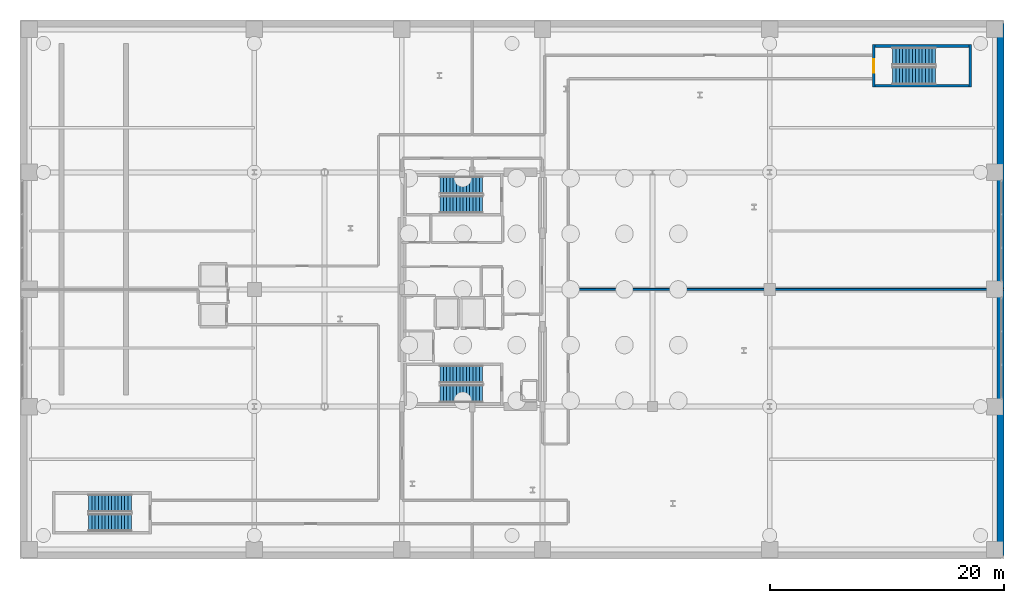
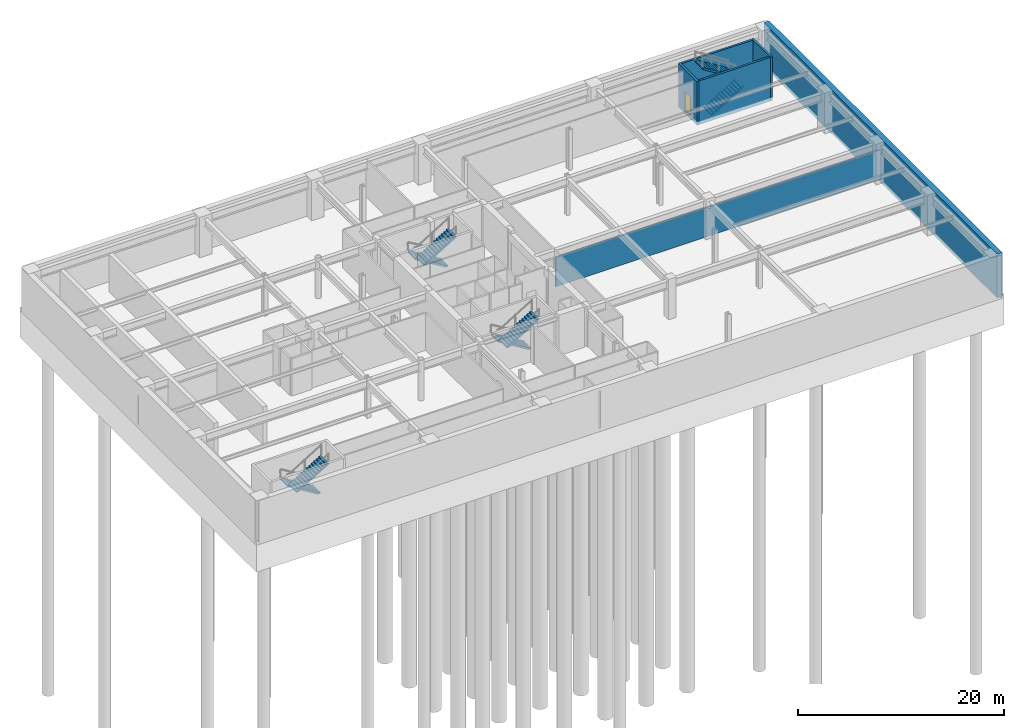
# One storey, part 21 of 25: 8 stair flights, 6 walls, 1 door, 1 opening, 4 elements without a shape of their own.
"""IFC4 building model written with IfcOpenShell, lengths in metres."""

from ifc_helpers import new_model, si_unit, direction, frame, frame_2d, origin, place, context, subcontext, project, spatial, polyline, rectangle, outline, extrude, material, layer, layer_set, type_object, element, fill, aggregate, save


model = new_model("IFC4")

# Units and contexts
model_context = context("Model", 3, precision=1e-05, world=origin(), true_north=direction((0.0, 1.0)))
body_context = subcontext(model_context, "Body", "Model", "MODEL_VIEW")
ifc_project = project(units=[si_unit("LENGTHUNIT", "METRE"), si_unit("AREAUNIT", "SQUARE_METRE"), si_unit("VOLUMEUNIT", "CUBIC_METRE"), si_unit("PLANEANGLEUNIT", "RADIAN"), si_unit("MASSUNIT", "GRAM", prefix="KILO")], contexts=[model_context])

# Site, building, storey
site_placement = place(None, origin())
site = spatial("IfcSite", under=ifc_project, at=site_placement, CompositionType="ELEMENT")
building_placement = place(site_placement, origin())
building = spatial("IfcBuilding", under=site, at=building_placement, Name="Soratama Intermodal Tower", CompositionType="ELEMENT")
storey_placement = place(building_placement, frame((0.0, 0.0, -10.199951171875)))
storey = spatial("IfcBuildingStorey", under=building, at=storey_placement, Name="B2", CompositionType="ELEMENT", Elevation=-10.199951171875)

# Walls
ifc_material_1 = material(Name="Fire-rated gypsum stud partition", Category="concrete")
ifc_layer_1 = layer(ifc_material_1, 0.159912109375)
ifc_layer_set_1 = layer_set([ifc_layer_1], Name="Fire-rated gypsum stud partition")
wall_type_1 = type_object("IfcWallType", Name="IW-PART-R160", PredefinedType="PARTITIONING", material=ifc_layer_set_1)
wall_1_placement = place(storey_placement, frame((46.8701171875, 25.0, 0.0), z_axis=(0.0, 0.0, 1.0), x_axis=(1.0, 0.0, 0.0)))
element("IfcWall", 1, at=wall_1_placement, inside=storey, type_object=wall_type_1, Name="B2 Partition W-B2-TP001", PredefinedType="PARTITIONING", context=body_context, shape_type="SweptSolid", body=[
    extrude(rectangle(XDim=37.1298828125, YDim=0.159912109375, at=frame_2d((18.56494140625, 0.0))), origin(), (0.0, 0.0, 1.0), 3.490966796875),
])
ifc_material_2 = material(Name="Concrete f'c 42 MPa", Category="concrete")
ifc_layer_2 = layer(ifc_material_2, 0.60009765625)
ifc_layer_set_2 = layer_set([ifc_layer_2], Name="Concrete f'c 42 MPa")
wall_type_2 = type_object("IfcWallType", Name="RW-BSMT-600", PredefinedType="USERDEFINED", material=ifc_layer_set_2)
wall_2_placement = place(storey_placement, frame((83.699951171875, 2.300048828125, -0.400146484375), z_axis=(0.0, 0.0, 1.0), x_axis=(0.0, 1.0, 0.0)))
element("IfcWall", 2, at=wall_2_placement, inside=storey, type_object=wall_type_2, Name="B2 Retaining Wall E", ObjectType="RETAINING WALL", PredefinedType="USERDEFINED", context=body_context, shape_type="SweptSolid", body=[
    extrude(rectangle(XDim=45.39990234375, YDim=0.60009765625, at=frame_2d((22.699951171875, 0.0))), origin(), (0.0, 0.0, 1.0), 5.2001953125),
])

# Wall, opening, door
ifc_material_3 = material(Name="Concrete f'c 56 MPa", Category="concrete")
ifc_layer_3 = layer(ifc_material_3, 0.239990234375)
ifc_layer_set_3 = layer_set([ifc_layer_3], Name="Concrete f'c 56 MPa")
wall_type_3 = type_object("IfcWallType", Name="SW-STAIR-240", PredefinedType="SHEAR", material=ifc_layer_set_3)
wall_3_placement = place(storey_placement, frame((72.8798828125, 42.260009765625, -0.400146484375), z_axis=(0.0, 0.0, 1.0), x_axis=(0.0, 1.0, 0.0)))
wall_3 = element("IfcWall", 3, at=wall_3_placement, inside=storey, type_object=wall_type_3, Name="B2 ST-4 Shaft Shear Wall W", PredefinedType="SHEAR", context=body_context, shape_type="SweptSolid", body=[
    extrude(rectangle(XDim=3.6298828125, YDim=0.239990234375, at=frame_2d((1.81494140625, 0.0))), origin(), (0.0, 0.0, 1.0), 5.2001953125),
])
opening_placement = place(wall_3_placement, frame((1.2548828125, 0.0, 0.39990234375)))
opening = element("IfcOpeningElement", 4, at=opening_placement, cuts=wall_3, Name="Opening SD-1", PredefinedType="OPENING", context=body_context, shape_type="SweptSolid", body=[
    extrude(rectangle(XDim=1.1201171875, YDim=2.14990234375, at=frame_2d((0.56005859375, 1.074951171875))), frame((0.0, 0.1298828125, 0.0), z_axis=(0.0, -1.0, 0.0), x_axis=(1.0, 0.0, 0.0)), (0.0, 0.0, 1.0), 0.260009765625),
])
ifc_material_4 = material(Name="Steel fire door", Category="steel")
door_type = type_object("IfcDoorType", Name="DR-STAIR-FD90", OperationType="NOTDEFINED", PredefinedType="DOOR", material=ifc_material_4)
door_placement = place(opening_placement, origin())
door = element("IfcDoor", 5, at=door_placement, inside=storey, type_object=door_type, Name="B2 ST-4 Exit Stair Door", OperationType="SINGLE_SWING_RIGHT", OverallHeight=2.14990234375, OverallWidth=1.1201171875, PredefinedType="DOOR", context=body_context, shape_type="SweptSolid", body=[
    extrude(rectangle(XDim=1.1201171875, YDim=2.14990234375, at=frame_2d((0.56005859375, 1.074951171875))), frame((0.0, 0.02490234375, 0.0), z_axis=(0.0, -1.0, 0.0), x_axis=(1.0, 0.0, 0.0)), (0.0, 0.0, 1.0), 0.050048828125),
])
fill(opening, door)

# Walls
wall_4_placement = place(storey_placement, frame((81.1201171875, 42.260009765625, -0.400146484375), z_axis=(0.0, 0.0, 1.0), x_axis=(0.0, 1.0, 0.0)))
element("IfcWall", 6, at=wall_4_placement, inside=storey, type_object=wall_type_3, Name="B2 ST-4 Shaft Shear Wall E", PredefinedType="SHEAR", context=body_context, shape_type="SweptSolid", body=[
    extrude(rectangle(XDim=3.6298828125, YDim=0.239990234375, at=frame_2d((1.81494140625, 0.0))), origin(), (0.0, 0.0, 1.0), 5.2001953125),
])
for number, where, z_axis, x_axis, name in (
    (7, (73.0, 42.3798828125, -0.400146484375), (0.0, 0.0, 1.0), (1.0, 0.0, 0.0), "B2 ST-4 Shaft Shear Wall S"),
    (8, (73.0, 45.77001953125, -0.400146484375), (0.0, 0.0, 1.0), (1.0, 0.0, 0.0), "B2 ST-4 Shaft Shear Wall N"),
):
    element("IfcWall", number, at=place(storey_placement, frame(where, z_axis=z_axis, x_axis=x_axis)), inside=storey, type_object=wall_type_3, Name=name, PredefinedType="SHEAR", context=body_context, shape_type="SweptSolid", body=[
        extrude(rectangle(XDim=8.0, YDim=0.239990234375, at=frame_2d((4.0, 0.0))), origin(), (0.0, 0.0, 1.0), 5.2001953125),
    ])

# Stair, stair flights
ifc_material_5 = material(Name="Concrete f'c 42 MPa", Category="concrete")
stair_type = type_object("IfcStairType", Name="ST-CORE-DOGLEG", PredefinedType="HALF_TURN_STAIR", material=ifc_material_5)
stair_1_placement = place(storey_placement, origin())
stair_1 = element("IfcStair", 9, at=stair_1_placement, inside=storey, type_object=stair_type, Name="B2 ST-1", PredefinedType="HALF_TURN_STAIR")
ifc_material_6 = material(Name="Precast concrete f'c 40 MPa", Category="concrete")
ifc_layer_4 = layer(ifc_material_6, 0.199951171875)
ifc_layer_set_4 = layer_set([ifc_layer_4], Name="Precast concrete f'c 40 MPa")
stair_flight_type = type_object("IfcStairFlightType", Name="SF-FLIGHT-RC", PredefinedType="STRAIGHT", material=ifc_layer_set_4)
stair_flight_1_placement = place(storey_placement, frame((39.5, 17.75, 0.0), z_axis=(0.0, 0.0, 1.0), x_axis=(-1.0, 0.0, 0.0)))
stair_flight_1 = element("IfcStairFlight", 10, at=stair_flight_1_placement, type_object=stair_flight_type, Name="ST-1 flight 1", NumberOfRisers=14, NumberOfTreads=13, PredefinedType="STRAIGHT", RiserHeight=0.171428571, TreadLength=0.28, context=body_context, shape_type="SweptSolid", body=[
    extrude(outline(polyline([(0.0, 0.0), (0.0, 0.17138671875), (0.280029296875, 0.17138671875), (0.280029296875, 0.3427734375), (0.56005859375, 0.3427734375), (0.56005859375, 0.514404296875), (0.840087890625, 0.514404296875), (0.840087890625, 0.685791015625), (1.1201171875, 0.685791015625), (1.1201171875, 0.857177734375), (1.39990234375, 0.857177734375), (1.39990234375, 1.028564453125), (1.679931640625, 1.028564453125), (1.679931640625, 1.199951171875), (1.9599609375, 1.199951171875), (1.9599609375, 1.371337890625), (2.239990234375, 1.371337890625), (2.239990234375, 1.54296875), (2.52001953125, 1.54296875), (2.52001953125, 1.71435546875), (2.800048828125, 1.71435546875), (2.800048828125, 1.8857421875), (3.080078125, 1.8857421875), (3.080078125, 2.05712890625), (3.360107421875, 2.05712890625), (3.360107421875, 2.228515625), (3.639892578125, 2.228515625), (3.639892578125, 2.39990234375), (3.639892578125, 2.052734375), (0.287109375, 0.0), (0.0, 0.0)])), frame((0.0, 0.75, 0.0), z_axis=(0.0, -1.0, 0.0), x_axis=(1.0, 0.0, 0.0)), (0.0, 0.0, 1.0), 1.5),
])
stair_flight_2_placement = place(storey_placement, frame((35.860107421875, 16.10009765625, 2.39990234375), z_axis=(0.0, 0.0, 1.0), x_axis=(1.0, 0.0, 0.0)))
stair_flight_2 = element("IfcStairFlight", 11, at=stair_flight_2_placement, type_object=stair_flight_type, Name="ST-1 flight 2", NumberOfRisers=14, NumberOfTreads=13, PredefinedType="STRAIGHT", RiserHeight=0.171428571, TreadLength=0.28, context=body_context, shape_type="SweptSolid", body=[
    extrude(outline(polyline([(0.0, 0.0), (0.0, 0.17138671875), (0.280029296875, 0.17138671875), (0.280029296875, 0.3427734375), (0.56005859375, 0.3427734375), (0.56005859375, 0.514404296875), (0.840087890625, 0.514404296875), (0.840087890625, 0.685791015625), (1.1201171875, 0.685791015625), (1.1201171875, 0.857177734375), (1.39990234375, 0.857177734375), (1.39990234375, 1.028564453125), (1.679931640625, 1.028564453125), (1.679931640625, 1.199951171875), (1.9599609375, 1.199951171875), (1.9599609375, 1.371337890625), (2.239990234375, 1.371337890625), (2.239990234375, 1.54296875), (2.52001953125, 1.54296875), (2.52001953125, 1.71435546875), (2.800048828125, 1.71435546875), (2.800048828125, 1.8857421875), (3.080078125, 1.8857421875), (3.080078125, 2.05712890625), (3.360107421875, 2.05712890625), (3.360107421875, 2.228515625), (3.639892578125, 2.228515625), (3.639892578125, 2.39990234375), (3.639892578125, 2.052734375), (0.287109375, 0.0), (0.0, 0.0)])), frame((0.0, 0.75, 0.0), z_axis=(0.0, -1.0, 0.0), x_axis=(1.0, 0.0, 0.0)), (0.0, 0.0, 1.0), 1.5),
])
aggregate(stair_1, [stair_flight_1, stair_flight_2])

stair_2_placement = place(storey_placement, origin())
stair_2 = element("IfcStair", 12, at=stair_2_placement, inside=storey, type_object=stair_type, Name="B2 ST-2", PredefinedType="HALF_TURN_STAIR")
stair_flight_3_placement = place(storey_placement, frame((39.5, 33.89990234375, 0.0), z_axis=(0.0, 0.0, 1.0), x_axis=(-1.0, 0.0, 0.0)))
stair_flight_3 = element("IfcStairFlight", 13, at=stair_flight_3_placement, type_object=stair_flight_type, Name="ST-2 flight 1", NumberOfRisers=14, NumberOfTreads=13, PredefinedType="STRAIGHT", RiserHeight=0.171428571, TreadLength=0.28, context=body_context, shape_type="SweptSolid", body=[
    extrude(outline(polyline([(0.0, 0.0), (0.0, 0.17138671875), (0.280029296875, 0.17138671875), (0.280029296875, 0.3427734375), (0.56005859375, 0.3427734375), (0.56005859375, 0.514404296875), (0.840087890625, 0.514404296875), (0.840087890625, 0.685791015625), (1.1201171875, 0.685791015625), (1.1201171875, 0.857177734375), (1.39990234375, 0.857177734375), (1.39990234375, 1.028564453125), (1.679931640625, 1.028564453125), (1.679931640625, 1.199951171875), (1.9599609375, 1.199951171875), (1.9599609375, 1.371337890625), (2.239990234375, 1.371337890625), (2.239990234375, 1.54296875), (2.52001953125, 1.54296875), (2.52001953125, 1.71435546875), (2.800048828125, 1.71435546875), (2.800048828125, 1.8857421875), (3.080078125, 1.8857421875), (3.080078125, 2.05712890625), (3.360107421875, 2.05712890625), (3.360107421875, 2.228515625), (3.639892578125, 2.228515625), (3.639892578125, 2.39990234375), (3.639892578125, 2.052734375), (0.287109375, 0.0), (0.0, 0.0)])), frame((0.0, 0.75, 0.0), z_axis=(0.0, -1.0, 0.0), x_axis=(1.0, 0.0, 0.0)), (0.0, 0.0, 1.0), 1.5),
])
stair_flight_4_placement = place(storey_placement, frame((35.860107421875, 32.25, 2.39990234375), z_axis=(0.0, 0.0, 1.0), x_axis=(1.0, 0.0, 0.0)))
stair_flight_4 = element("IfcStairFlight", 14, at=stair_flight_4_placement, type_object=stair_flight_type, Name="ST-2 flight 2", NumberOfRisers=14, NumberOfTreads=13, PredefinedType="STRAIGHT", RiserHeight=0.171428571, TreadLength=0.28, context=body_context, shape_type="SweptSolid", body=[
    extrude(outline(polyline([(0.0, 0.0), (0.0, 0.17138671875), (0.280029296875, 0.17138671875), (0.280029296875, 0.3427734375), (0.56005859375, 0.3427734375), (0.56005859375, 0.514404296875), (0.840087890625, 0.514404296875), (0.840087890625, 0.685791015625), (1.1201171875, 0.685791015625), (1.1201171875, 0.857177734375), (1.39990234375, 0.857177734375), (1.39990234375, 1.028564453125), (1.679931640625, 1.028564453125), (1.679931640625, 1.199951171875), (1.9599609375, 1.199951171875), (1.9599609375, 1.371337890625), (2.239990234375, 1.371337890625), (2.239990234375, 1.54296875), (2.52001953125, 1.54296875), (2.52001953125, 1.71435546875), (2.800048828125, 1.71435546875), (2.800048828125, 1.8857421875), (3.080078125, 1.8857421875), (3.080078125, 2.05712890625), (3.360107421875, 2.05712890625), (3.360107421875, 2.228515625), (3.639892578125, 2.228515625), (3.639892578125, 2.39990234375), (3.639892578125, 2.052734375), (0.287109375, 0.0), (0.0, 0.0)])), frame((0.0, 0.75, 0.0), z_axis=(0.0, -1.0, 0.0), x_axis=(1.0, 0.0, 0.0)), (0.0, 0.0, 1.0), 1.5),
])
aggregate(stair_2, [stair_flight_3, stair_flight_4])

stair_3_placement = place(storey_placement, origin())
stair_3 = element("IfcStair", 15, at=stair_3_placement, inside=storey, type_object=stair_type, Name="B2 ST-3", PredefinedType="HALF_TURN_STAIR")
stair_flight_5_placement = place(storey_placement, frame((9.5, 6.75, 0.0), z_axis=(0.0, 0.0, 1.0), x_axis=(-1.0, 0.0, 0.0)))
stair_flight_5 = element("IfcStairFlight", 16, at=stair_flight_5_placement, type_object=stair_flight_type, Name="ST-3 flight 1", NumberOfRisers=14, NumberOfTreads=13, PredefinedType="STRAIGHT", RiserHeight=0.171428571, TreadLength=0.28, context=body_context, shape_type="SweptSolid", body=[
    extrude(outline(polyline([(0.0, 0.0), (0.0, 0.17138671875), (0.280029296875, 0.17138671875), (0.280029296875, 0.3427734375), (0.56005859375, 0.3427734375), (0.56005859375, 0.514404296875), (0.840087890625, 0.514404296875), (0.840087890625, 0.685791015625), (1.1201171875, 0.685791015625), (1.1201171875, 0.857177734375), (1.39990234375, 0.857177734375), (1.39990234375, 1.028564453125), (1.679931640625, 1.028564453125), (1.679931640625, 1.199951171875), (1.9599609375, 1.199951171875), (1.9599609375, 1.371337890625), (2.239990234375, 1.371337890625), (2.239990234375, 1.54296875), (2.52001953125, 1.54296875), (2.52001953125, 1.71435546875), (2.800048828125, 1.71435546875), (2.800048828125, 1.8857421875), (3.080078125, 1.8857421875), (3.080078125, 2.05712890625), (3.360107421875, 2.05712890625), (3.360107421875, 2.228515625), (3.639892578125, 2.228515625), (3.639892578125, 2.39990234375), (3.639892578125, 2.052734375), (0.287109375, 0.0), (0.0, 0.0)])), frame((0.0, 0.75, 0.0), z_axis=(0.0, -1.0, 0.0), x_axis=(1.0, 0.0, 0.0)), (0.0, 0.0, 1.0), 1.5),
])
stair_flight_6_placement = place(storey_placement, frame((5.860107421875, 5.10009765625, 2.39990234375), z_axis=(0.0, 0.0, 1.0), x_axis=(1.0, 0.0, 0.0)))
stair_flight_6 = element("IfcStairFlight", 17, at=stair_flight_6_placement, type_object=stair_flight_type, Name="ST-3 flight 2", NumberOfRisers=14, NumberOfTreads=13, PredefinedType="STRAIGHT", RiserHeight=0.171428571, TreadLength=0.28, context=body_context, shape_type="SweptSolid", body=[
    extrude(outline(polyline([(0.0, 0.0), (0.0, 0.17138671875), (0.280029296875, 0.17138671875), (0.280029296875, 0.3427734375), (0.56005859375, 0.3427734375), (0.56005859375, 0.514404296875), (0.840087890625, 0.514404296875), (0.840087890625, 0.685791015625), (1.1201171875, 0.685791015625), (1.1201171875, 0.857177734375), (1.39990234375, 0.857177734375), (1.39990234375, 1.028564453125), (1.679931640625, 1.028564453125), (1.679931640625, 1.199951171875), (1.9599609375, 1.199951171875), (1.9599609375, 1.371337890625), (2.239990234375, 1.371337890625), (2.239990234375, 1.54296875), (2.52001953125, 1.54296875), (2.52001953125, 1.71435546875), (2.800048828125, 1.71435546875), (2.800048828125, 1.8857421875), (3.080078125, 1.8857421875), (3.080078125, 2.05712890625), (3.360107421875, 2.05712890625), (3.360107421875, 2.228515625), (3.639892578125, 2.228515625), (3.639892578125, 2.39990234375), (3.639892578125, 2.052734375), (0.287109375, 0.0), (0.0, 0.0)])), frame((0.0, 0.75, 0.0), z_axis=(0.0, -1.0, 0.0), x_axis=(1.0, 0.0, 0.0)), (0.0, 0.0, 1.0), 1.5),
])
aggregate(stair_3, [stair_flight_5, stair_flight_6])

stair_4_placement = place(storey_placement, origin())
stair_4 = element("IfcStair", 18, at=stair_4_placement, inside=storey, type_object=stair_type, Name="B2 ST-4", PredefinedType="HALF_TURN_STAIR")
stair_flight_7_placement = place(storey_placement, frame((74.5, 43.25, 0.0), z_axis=(0.0, 0.0, 1.0), x_axis=(1.0, 0.0, 0.0)))
stair_flight_7 = element("IfcStairFlight", 19, at=stair_flight_7_placement, type_object=stair_flight_type, Name="ST-4 flight 1", NumberOfRisers=14, NumberOfTreads=13, PredefinedType="STRAIGHT", RiserHeight=0.171428571, TreadLength=0.28, context=body_context, shape_type="SweptSolid", body=[
    extrude(outline(polyline([(0.0, 0.0), (0.0, 0.17138671875), (0.280029296875, 0.17138671875), (0.280029296875, 0.3427734375), (0.56005859375, 0.3427734375), (0.56005859375, 0.514404296875), (0.840087890625, 0.514404296875), (0.840087890625, 0.685791015625), (1.1201171875, 0.685791015625), (1.1201171875, 0.857177734375), (1.39990234375, 0.857177734375), (1.39990234375, 1.028564453125), (1.679931640625, 1.028564453125), (1.679931640625, 1.199951171875), (1.9599609375, 1.199951171875), (1.9599609375, 1.371337890625), (2.239990234375, 1.371337890625), (2.239990234375, 1.54296875), (2.52001953125, 1.54296875), (2.52001953125, 1.71435546875), (2.800048828125, 1.71435546875), (2.800048828125, 1.8857421875), (3.080078125, 1.8857421875), (3.080078125, 2.05712890625), (3.360107421875, 2.05712890625), (3.360107421875, 2.228515625), (3.639892578125, 2.228515625), (3.639892578125, 2.39990234375), (3.639892578125, 2.052734375), (0.287109375, 0.0), (0.0, 0.0)])), frame((0.0, 0.75, 0.0), z_axis=(0.0, -1.0, 0.0), x_axis=(1.0, 0.0, 0.0)), (0.0, 0.0, 1.0), 1.5),
])
stair_flight_8_placement = place(storey_placement, frame((78.139892578125, 44.89990234375, 2.39990234375), z_axis=(0.0, 0.0, 1.0), x_axis=(-1.0, 0.0, 0.0)))
stair_flight_8 = element("IfcStairFlight", 20, at=stair_flight_8_placement, type_object=stair_flight_type, Name="ST-4 flight 2", NumberOfRisers=14, NumberOfTreads=13, PredefinedType="STRAIGHT", RiserHeight=0.171428571, TreadLength=0.28, context=body_context, shape_type="SweptSolid", body=[
    extrude(outline(polyline([(0.0, 0.0), (0.0, 0.17138671875), (0.280029296875, 0.17138671875), (0.280029296875, 0.3427734375), (0.56005859375, 0.3427734375), (0.56005859375, 0.514404296875), (0.840087890625, 0.514404296875), (0.840087890625, 0.685791015625), (1.1201171875, 0.685791015625), (1.1201171875, 0.857177734375), (1.39990234375, 0.857177734375), (1.39990234375, 1.028564453125), (1.679931640625, 1.028564453125), (1.679931640625, 1.199951171875), (1.9599609375, 1.199951171875), (1.9599609375, 1.371337890625), (2.239990234375, 1.371337890625), (2.239990234375, 1.54296875), (2.52001953125, 1.54296875), (2.52001953125, 1.71435546875), (2.800048828125, 1.71435546875), (2.800048828125, 1.8857421875), (3.080078125, 1.8857421875), (3.080078125, 2.05712890625), (3.360107421875, 2.05712890625), (3.360107421875, 2.228515625), (3.639892578125, 2.228515625), (3.639892578125, 2.39990234375), (3.639892578125, 2.052734375), (0.287109375, 0.0), (0.0, 0.0)])), frame((0.0, 0.75, 0.0), z_axis=(0.0, -1.0, 0.0), x_axis=(1.0, 0.0, 0.0)), (0.0, 0.0, 1.0), 1.5),
])
aggregate(stair_4, [stair_flight_7, stair_flight_8])

save(model, "model.ifc")
